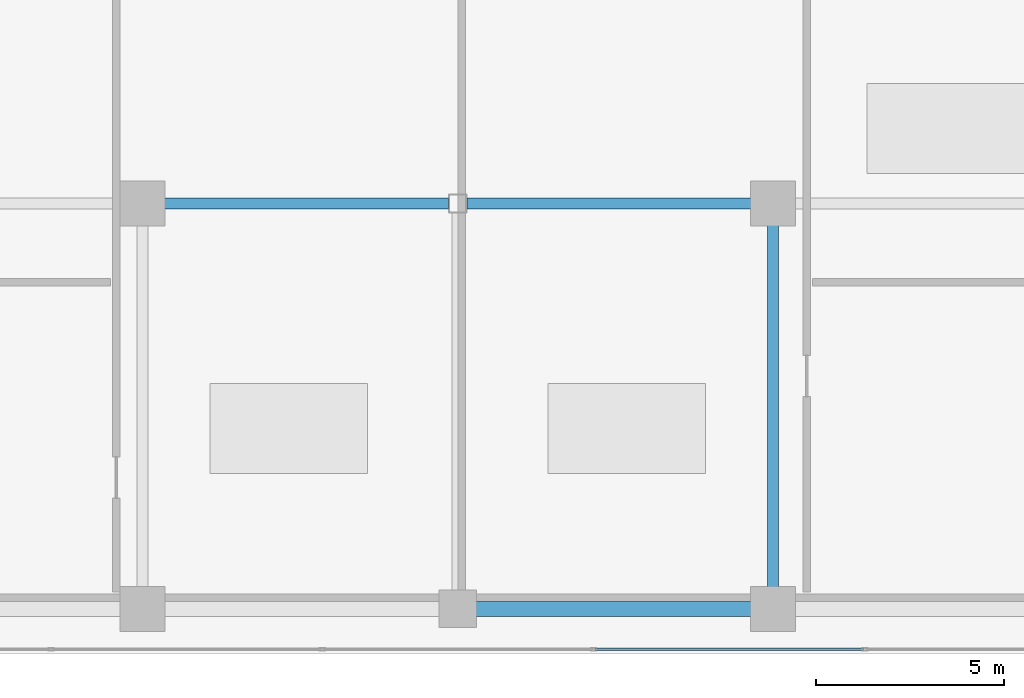
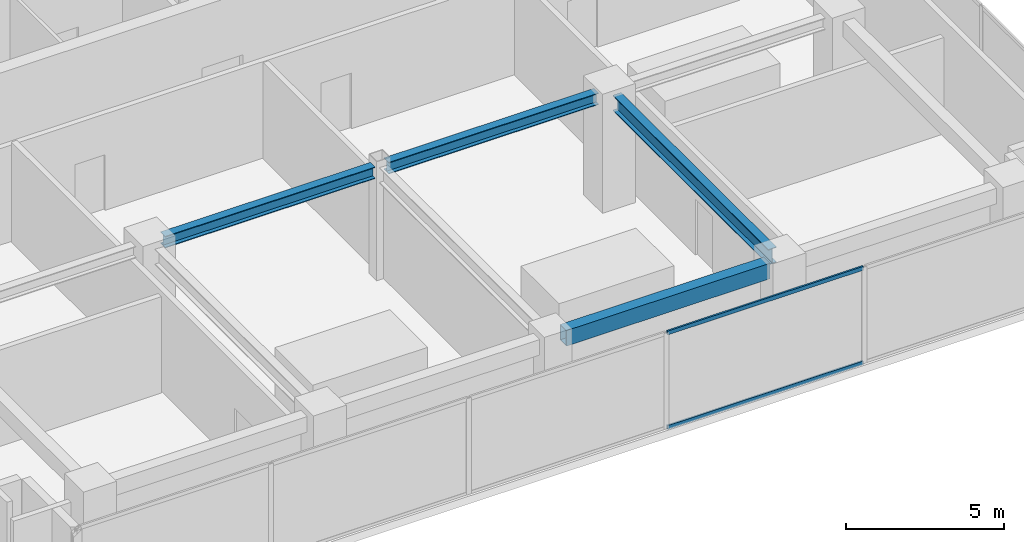
# One storey, part 6 of 19: 4 beams, 2 members, 1 element without a shape of its own.
"""IFC4 building model written with IfcOpenShell, lengths in metres."""

from ifc_helpers import new_model, si_unit, direction, frame, origin, origin_2d, place, context, subcontext, project, spatial, hollow_rectangle, i_section, extrude, source, transform, mapped, material, layer, layer_set, material_profile, profile_set, type_object, element, aggregate, save


model = new_model("IFC4")

# Units and contexts
model_context = context("Model", 3, precision=1e-05, world=origin(), true_north=direction((0.0, 1.0)))
body_context = subcontext(model_context, "Body", "Model", "MODEL_VIEW")
ifc_project = project(units=[si_unit("LENGTHUNIT", "METRE"), si_unit("AREAUNIT", "SQUARE_METRE"), si_unit("VOLUMEUNIT", "CUBIC_METRE"), si_unit("PLANEANGLEUNIT", "RADIAN"), si_unit("MASSUNIT", "GRAM", prefix="KILO")], contexts=[model_context])

# Site, building, storey
site_placement = place(None, origin())
site = spatial("IfcSite", under=ifc_project, at=site_placement, CompositionType="ELEMENT")
building_placement = place(site_placement, origin())
building = spatial("IfcBuilding", under=site, at=building_placement, Name="Sumidabori Civic Tower", CompositionType="ELEMENT")
storey_placement = place(building_placement, frame((0.0, 0.0, 293.60009765625)))
storey = spatial("IfcBuildingStorey", under=building, at=storey_placement, Name="L77", CompositionType="ELEMENT", Elevation=293.60009765625)

# Beams
ifc_material_1 = material(Name="Steel SN490", Category="steel")
ifc_material_profile_1 = material_profile(ifc_material_1, i_section(OverallWidth=0.300048828125, OverallDepth=0.60009765625, WebThickness=0.015380859375, FlangeThickness=0.030029296875, at=origin_2d()), Name="HE 600 B")
ifc_profile_set_1 = profile_set([ifc_material_profile_1], Name="Steel SN490")
beam_type_1 = type_object("IfcBeamType", Name="BM-GIRD-600", PredefinedType="BEAM", material=ifc_profile_set_1)
shared_shape_1 = source(origin(), body_context, "Body", "SweptSolid", [
    extrude(i_section(OverallWidth=0.300048828125, OverallDepth=0.60009765625, WebThickness=0.015380859375, FlangeThickness=0.030029296875, at=origin_2d()), origin(), (0.0, 0.0, 1.0), 9.840087890625),
])
beam_1_placement = place(storey_placement, frame((8.39990234375, -10.320068359375, 4.039794921875), z_axis=(0.0, 1.0, 0.0), x_axis=(-1.0, 0.0, 0.0)))
element("IfcBeam", 1, at=beam_1_placement, inside=storey, type_object=beam_type_1, Name="Primary Girder L77 GY-07", PredefinedType="BEAM", context=body_context, shape_type="MappedRepresentation", body=[
    mapped(shared_shape_1, transform((0.0, 0.0, 0.0), x_axis=(1.0, 0.0, 0.0), y_axis=(0.0, 1.0, 0.0), z_axis=(0.0, 0.0, 1.0), scale=1.0)),
])
ifc_material_profile_2 = material_profile(ifc_material_1, i_section(OverallWidth=0.300048828125, OverallDepth=0.449951171875, WebThickness=0.013916015625, FlangeThickness=0.02587890625, at=origin_2d()), Name="HE 450 B")
ifc_profile_set_2 = profile_set([ifc_material_profile_2], Name="Steel SN490")
beam_type_2 = type_object("IfcBeamType", Name="BM-GIRD-450", PredefinedType="BEAM", material=ifc_profile_set_2)
shared_shape_2 = source(origin(), body_context, "Body", "SweptSolid", [
    extrude(i_section(OverallWidth=0.300048828125, OverallDepth=0.449951171875, WebThickness=0.013916015625, FlangeThickness=0.02587890625, at=origin_2d()), origin(), (0.0, 0.0, 1.0), 7.669921875),
])
for number, where, z_axis, x_axis, name in (
    (2, (-7.919921875, 0.0, 4.114990234375), (1.0, 0.0, 0.0), (0.0, 1.0, 0.0), "Primary Girder L77 GX-02"),
    (3, (0.25, 0.0, 4.114990234375), (1.0, 0.0, 0.0), (0.0, 1.0, 0.0), "Primary Girder L77 GX-03"),
):
    element("IfcBeam", number, at=place(storey_placement, frame(where, z_axis=z_axis, x_axis=x_axis)), inside=storey, type_object=beam_type_2, Name=name, PredefinedType="BEAM", context=body_context, shape_type="MappedRepresentation", body=[
        mapped(shared_shape_2, transform((0.0, 0.0, 0.0), x_axis=(1.0, 0.0, 0.0), y_axis=(0.0, 1.0, 0.0), z_axis=(0.0, 0.0, 1.0), scale=1.0)),
    ])
ifc_material_profile_3 = material_profile(ifc_material_1, hollow_rectangle(XDim=0.39990234375, YDim=0.60009765625, WallThickness=0.02490234375, at=origin_2d()), Name="RHS 600x400x25")
ifc_profile_set_3 = profile_set([ifc_material_profile_3], Name="Steel SN490")
beam_type_3 = type_object("IfcBeamType", Name="BM-CRN-RING", PredefinedType="BEAM", material=ifc_profile_set_3)
shared_shape_3 = source(origin(), body_context, "Body", "SweptSolid", [
    extrude(hollow_rectangle(XDim=0.39990234375, YDim=0.60009765625, WallThickness=0.02490234375, at=origin_2d()), origin(), (0.0, 0.0, 1.0), 7.43994140625),
])
beam_2_placement = place(storey_placement, frame((0.47998046875, -10.800048828125, 4.039794921875), z_axis=(1.0, 0.0, 0.0), x_axis=(0.0, 1.0, 0.0)))
element("IfcBeam", 4, at=beam_2_placement, inside=storey, type_object=beam_type_3, Name="Crown Base Ring Beam BR-1-03", PredefinedType="BEAM", context=body_context, shape_type="MappedRepresentation", body=[
    mapped(shared_shape_3, transform((0.0, 0.0, 0.0), x_axis=(1.0, 0.0, 0.0), y_axis=(0.0, 1.0, 0.0), z_axis=(0.0, 0.0, 1.0), scale=1.0)),
])

# Curtain wall, members
ifc_material_2 = material(Name="Anodised Bronze Aluminium AW-6063-T6", Category="aluminium")
ifc_layer = layer(ifc_material_2, 0.179931640625, Name="Anodised Bronze Aluminium AW-6063-T6")
ifc_layer_set = layer_set([ifc_layer], Name="Anodised Bronze Aluminium AW-6063-T6")
curtain_wall_type = type_object("IfcCurtainWallType", Name="CW-SYS-6", PredefinedType="NOTDEFINED", material=ifc_layer_set)
curtain_wall_placement = place(storey_placement, origin())
curtain_wall = element("IfcCurtainWall", 5, at=curtain_wall_placement, inside=storey, type_object=curtain_wall_type, Name="Curtain Wall CW:L77:R01", PredefinedType="NOTDEFINED")
ifc_material_profile_4 = material_profile(ifc_material_2, hollow_rectangle(XDim=0.06494140625, YDim=0.14990234375, WallThickness=0.0048828125, at=origin_2d()), Name="ALU TRANSOM 150x65")
ifc_profile_set_4 = profile_set([ifc_material_profile_4], Name="Anodised Bronze Aluminium AW-6063-T6")
member_type = type_object("IfcMemberType", Name="CW-TRN-150", PredefinedType="USERDEFINED", material=ifc_profile_set_4)
shared_shape_4 = source(origin(), body_context, "Body", "SweptSolid", [
    extrude(hollow_rectangle(XDim=0.06494140625, YDim=0.14990234375, WallThickness=0.0048828125, at=origin_2d()), origin(), (0.0, 0.0, 1.0), 7.157958984375),
])
member_1_placement = place(storey_placement, frame((3.64892578125, -11.8798828125, 0.032470703125), z_axis=(1.0, 0.0, 0.0), x_axis=(0.0, 1.0, 0.0)))
member_1 = element("IfcMember", 6, at=member_1_placement, type_object=member_type, Name="CW-6 transom 4.1", ObjectType="TRANSOM", PredefinedType="USERDEFINED", context=body_context, shape_type="MappedRepresentation", body=[
    mapped(shared_shape_4, transform((0.0, 0.0, 0.0), x_axis=(1.0, 0.0, 0.0), y_axis=(0.0, 1.0, 0.0), z_axis=(0.0, 0.0, 1.0), scale=1.0)),
])
member_2_placement = place(storey_placement, frame((3.64892578125, -11.8798828125, 3.6875), z_axis=(1.0, 0.0, 0.0), x_axis=(0.0, 1.0, 0.0)))
member_2 = element("IfcMember", 7, at=member_2_placement, type_object=member_type, Name="CW-6 transom 4.2", ObjectType="TRANSOM", PredefinedType="USERDEFINED", context=body_context, shape_type="MappedRepresentation", body=[
    mapped(shared_shape_4, transform((0.0, 0.0, 0.0), x_axis=(1.0, 0.0, 0.0), y_axis=(0.0, 1.0, 0.0), z_axis=(0.0, 0.0, 1.0), scale=1.0)),
])
aggregate(curtain_wall, [member_1, member_2])

save(model, "model.ifc")
